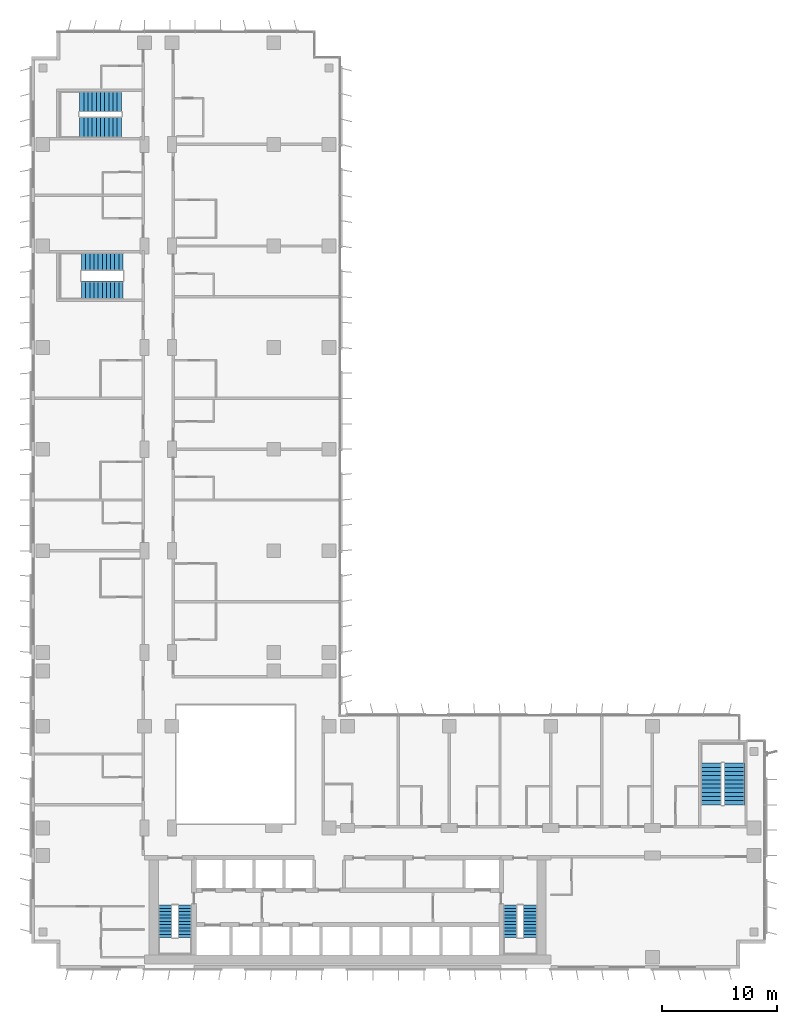
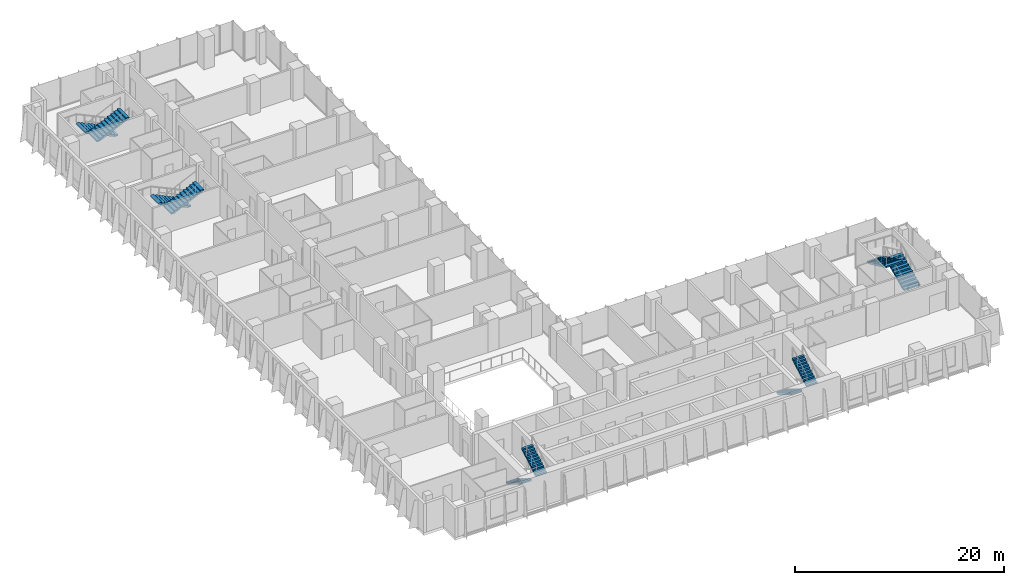
# One storey, part 18 of 22: 10 stair flights, 5 elements without a shape of their own.
"""IFC4 building model written with IfcOpenShell, lengths in metres."""

import ifcopenshell
import ifcopenshell.guid

model = None  # the IFC model being written
_history = None  # IfcOwnerHistory: only IFC2X3 demands one
_inside = {}  # id of a spatial element -> (the spatial element, [elements in it])
_under = {}  # id of a project, library or spatial element -> (it, [spatial elements below it])
_declared = {}  # id of a project -> (the project, [libraries it declares])
_typed = {}  # id of a type object -> (the type object, [elements of that type])
_made_of = {}  # id of a material, layer set ... -> (it, [elements and type objects made of it])


def new_model(schema):
    """Start an empty IFC model of exactly this schema.

    Asked for "IFC4X3", IfcOpenShell would pick the latest addendum, in which some entities
    have other attributes; the version numbers below select the first issue.
    IFC2X3 requires an IfcOwnerHistory on every rooted entity: one is made here for all.
    """
    global model, _history
    if schema == "IFC4X3":
        model = ifcopenshell.file(schema_version=(4, 3, 0, 0))
    else:
        model = ifcopenshell.file(schema=schema)
    _inside.clear()
    _under.clear()
    _declared.clear()
    _typed.clear()
    _made_of.clear()
    _history = None
    if model.schema == "IFC2X3":
        org = make("IfcOrganization", Name="unknown")
        user = make(
            "IfcPersonAndOrganization",
            ThePerson=make("IfcPerson", FamilyName="unknown"),
            TheOrganization=org,
        )
        app = make(
            "IfcApplication",
            ApplicationDeveloper=org,
            Version="unknown",
            ApplicationFullName="unknown",
            ApplicationIdentifier="unknown",
        )
        _history = make(
            "IfcOwnerHistory",
            OwningUser=user,
            OwningApplication=app,
            ChangeAction="ADDED",
            CreationDate=0,
        )
    return model


def make(cls, **values):
    """One entity of the class cls with the attributes given. An attribute that is None is left unset."""
    return model.create_entity(
        cls, **{name: value for name, value in values.items() if value is not None}
    )


def rooted(cls, **values):
    """An entity with a GlobalId (a new one), such as an element, a storey or a relation."""
    return make(cls, GlobalId=ifcopenshell.guid.new(), OwnerHistory=_history, **values)


def si_unit(unit_type, name, prefix=None):
    """IfcSIUnit, for example si_unit("LENGTHUNIT", "METRE", prefix="MILLI")."""
    return make("IfcSIUnit", UnitType=unit_type, Prefix=prefix, Name=name)


def assignment(units):
    """IfcUnitAssignment: the units of a project."""
    return None if units is None else make("IfcUnitAssignment", Units=units)


def point(xyz):
    """IfcCartesianPoint."""
    return None if xyz is None else make("IfcCartesianPoint", Coordinates=xyz)


def direction(xyz):
    """IfcDirection."""
    return None if xyz is None else make("IfcDirection", DirectionRatios=xyz)


def frame(location, z_axis=None, x_axis=None):
    """IfcAxis2Placement3D, a coordinate frame: its origin and axes. An axis left out is left unset."""
    return make(
        "IfcAxis2Placement3D",
        Location=point(location),
        Axis=direction(z_axis),
        RefDirection=direction(x_axis),
    )


def origin():
    """The frame at (0, 0, 0) with its axes left unset."""
    return frame((0.0, 0.0, 0.0))


def place(relative_to, where):
    """IfcLocalPlacement: puts the frame where relative to a parent placement (None: the world)."""
    return make(
        "IfcLocalPlacement", PlacementRelTo=relative_to, RelativePlacement=where
    )


def context(
    kind, dimensions, precision=None, world=None, true_north=None, identifier=None
):
    """IfcGeometricRepresentationContext, for example the 3D "Model" context."""
    return make(
        "IfcGeometricRepresentationContext",
        ContextIdentifier=identifier,
        ContextType=kind,
        CoordinateSpaceDimension=dimensions,
        Precision=precision,
        WorldCoordinateSystem=world,
        TrueNorth=true_north,
    )


def subcontext(parent, identifier, kind, view, scale=None):
    """IfcGeometricRepresentationSubContext, for example "Body" below "Model"."""
    return make(
        "IfcGeometricRepresentationSubContext",
        ContextIdentifier=identifier,
        ContextType=kind,
        ParentContext=parent,
        TargetScale=scale,
        TargetView=view,
    )


def project(units=None, contexts=None):
    """IfcProject with its units and contexts."""
    return rooted(
        "IfcProject",
        Name="project",
        RepresentationContexts=contexts,
        UnitsInContext=assignment(units),
    )


def spatial(cls, under=None, at=None, **own):
    """A site, building, storey or space (cls), placed at a placement, below another one or the project."""
    s = rooted(cls, ObjectPlacement=at, **own)
    if under is not None:
        _under.setdefault(under.id(), (under, []))[1].append(s)
    return s


def polyline(points):
    """IfcPolyline through the points."""
    return make("IfcPolyline", Points=[point(p) for p in points])


def outline(outer, holes=None, kind="AREA"):
    """IfcArbitraryClosedProfileDef: a profile drawn as a closed curve; with holes, ...WithVoids."""
    if holes is None:
        return make("IfcArbitraryClosedProfileDef", ProfileType=kind, OuterCurve=outer)
    return make(
        "IfcArbitraryProfileDefWithVoids",
        ProfileType=kind,
        OuterCurve=outer,
        InnerCurves=holes,
    )


def extrude(swept, where, along, depth):
    """IfcExtrudedAreaSolid: the profile swept, set in the frame where, extruded along a direction by depth."""
    return make(
        "IfcExtrudedAreaSolid",
        SweptArea=swept,
        Position=where,
        ExtrudedDirection=direction(along),
        Depth=depth,
    )


def shape(context_of_items, identifier, shape_type, items):
    """IfcShapeRepresentation: the items that make up one representation, for example the "Body"."""
    return make(
        "IfcShapeRepresentation",
        ContextOfItems=context_of_items,
        RepresentationIdentifier=identifier,
        RepresentationType=shape_type,
        Items=items,
    )


def material(Name=None, Category=None):
    """IfcMaterial."""
    return make("IfcMaterial", Name=Name, Category=Category)


def made_of(thing, what):
    """Note that an element or type object is made of a material, layer set ...; save() writes the relation."""
    if what is not None:
        _made_of.setdefault(what.id(), (what, []))[1].append(thing)
    return thing


def type_object(cls, material=None, **own):
    """A type object (cls), such as IfcWallType, which elements share."""
    return made_of(rooted(cls, **own), material)


def element(
    cls,
    number,
    at=None,
    inside=None,
    cuts=None,
    type_object=None,
    material=None,
    context=None,
    identifier="Body",
    shape_type=None,
    held_by="IfcProductDefinitionShape",
    body=None,
    shapes=None,
    **own,
):
    """One element of the class cls, such as IfcWall. Its Tag is "e" and its number.

    at: its placement. inside: the storey or other place that contains it. cuts: it is an
    opening in that element (IfcRelVoidsElement). A single representation is given by context,
    identifier, shape_type and body (its items); several are given by shapes. held_by: the class
    of the entity that holds the representations. save() writes the other relations.
    """
    e = rooted(cls, Tag="e%d" % number, ObjectPlacement=at, **own)
    if body is not None:
        shapes = [shape(context, identifier, shape_type, body)]
    if shapes is not None:
        e.Representation = make(held_by, Representations=shapes)
    if inside is not None:
        _inside.setdefault(inside.id(), (inside, []))[1].append(e)
    if cuts is not None:
        rooted(
            "IfcRelVoidsElement", RelatingBuildingElement=cuts, RelatedOpeningElement=e
        )
    if type_object is not None:
        _typed.setdefault(type_object.id(), (type_object, []))[1].append(e)
    return made_of(e, material)


def aggregate(whole, parts):
    """IfcRelAggregates: a whole, such as a stair, and the parts it consists of."""
    return rooted("IfcRelAggregates", RelatingObject=whole, RelatedObjects=parts)


def save(model, path):
    """Write the relations noted so far, then the file.

    IfcRelAggregates (storeys below a building ...), IfcRelContainedInSpatialStructure (elements
    in a storey), IfcRelDefinesByType, IfcRelAssociatesMaterial and IfcRelDeclares: one each for
    every whole, place, type object, material and project.
    """
    for whole, parts in _under.values():
        aggregate(whole, parts)
    for where, things in _inside.values():
        rooted(
            "IfcRelContainedInSpatialStructure",
            RelatedElements=things,
            RelatingStructure=where,
        )
    for kind, things in _typed.values():
        rooted("IfcRelDefinesByType", RelatedObjects=things, RelatingType=kind)
    for what, things in _made_of.values():
        rooted("IfcRelAssociatesMaterial", RelatedObjects=things, RelatingMaterial=what)
    for by, libraries in _declared.values():
        rooted("IfcRelDeclares", RelatingContext=by, RelatedDefinitions=libraries)
    model.write(path)


model = new_model("IFC4")

# Units and contexts
model_context = context("Model", 3, precision=1e-05, world=origin(), true_north=direction((0.0, 1.0)))
body_context = subcontext(model_context, "Body", "Model", "MODEL_VIEW")
ifc_project = project(units=[si_unit("LENGTHUNIT", "METRE"), si_unit("AREAUNIT", "SQUARE_METRE"), si_unit("VOLUMEUNIT", "CUBIC_METRE"), si_unit("PLANEANGLEUNIT", "RADIAN"), si_unit("MASSUNIT", "GRAM", prefix="KILO")], contexts=[model_context])

# Site, building, storey
site_placement = place(None, origin())
site = spatial("IfcSite", under=ifc_project, at=site_placement, CompositionType="ELEMENT")
building_placement = place(site_placement, origin())
building = spatial("IfcBuilding", under=site, at=building_placement, Name="Kemantara Hotel Tower", CompositionType="ELEMENT")
storey_placement = place(building_placement, frame((0.0, 0.0, 107.39990234375)))
storey = spatial("IfcBuildingStorey", under=building, at=storey_placement, Name="L25", CompositionType="ELEMENT", Elevation=107.39990234375)

# Stair, stair flights
ifc_material = material(Name="Concrete fc 40 MPa", Category="concrete")
stair_type_1 = type_object("IfcStairType", Name="Stair 1200 wide 22 risers of 168 x 280 mm", PredefinedType="HALF_TURN_STAIR", material=ifc_material)
stair_1_placement = place(storey_placement, origin())
stair_1 = element("IfcStair", 1, at=stair_1_placement, inside=storey, type_object=stair_type_1, Name="L25 Exit stair ST1", PredefinedType="HALF_TURN_STAIR")
stair_flight_type_1 = type_object("IfcStairFlightType", Name="Stair flight 1200 wide 168 x 280 mm", PredefinedType="STRAIGHT", material=ifc_material)
stair_flight_1_placement = place(storey_placement, frame((11.60009765625, 5.5, 0.0), z_axis=(0.0, 0.0, 1.0), x_axis=(0.0, -1.0, 0.0)))
stair_flight_1 = element("IfcStairFlight", 2, at=stair_flight_1_placement, type_object=stair_flight_type_1, Name="ST1 flight 1", NumberOfRisers=11, NumberOfTreads=10, PredefinedType="STRAIGHT", RiserHeight=0.168181818, TreadLength=0.28, context=body_context, shape_type="SweptSolid", body=[
    extrude(outline(polyline([(0.0, 0.0), (0.0, 0.168212890625), (0.280029296875, 0.168212890625), (0.280029296875, 0.33642578125), (0.56005859375, 0.33642578125), (0.56005859375, 0.504638671875), (0.840087890625, 0.504638671875), (0.840087890625, 0.672607421875), (1.1201171875, 0.672607421875), (1.1201171875, 0.8408203125), (1.39990234375, 0.8408203125), (1.39990234375, 1.009033203125), (1.679931640625, 1.009033203125), (1.679931640625, 1.17724609375), (1.9599609375, 1.17724609375), (1.9599609375, 1.345458984375), (2.239990234375, 1.345458984375), (2.239990234375, 1.513671875), (2.52001953125, 1.513671875), (2.52001953125, 1.681884765625), (2.800048828125, 1.681884765625), (2.800048828125, 1.85009765625), (2.800048828125, 1.5068359375), (0.291015625, 0.0), (0.0, 0.0)])), frame((0.0, 0.60009765625, 0.0), z_axis=(0.0, -1.0, 0.0), x_axis=(1.0, 0.0, 0.0)), (0.0, 0.0, 1.0), 1.199951171875),
])
stair_flight_2_placement = place(storey_placement, frame((13.300048828125, 2.699951171875, 1.85009765625), z_axis=(0.0, 0.0, 1.0), x_axis=(0.0, 1.0, 0.0)))
stair_flight_2 = element("IfcStairFlight", 3, at=stair_flight_2_placement, type_object=stair_flight_type_1, Name="ST1 flight 2", NumberOfRisers=11, NumberOfTreads=10, PredefinedType="STRAIGHT", RiserHeight=0.168181818, TreadLength=0.28, context=body_context, shape_type="SweptSolid", body=[
    extrude(outline(polyline([(0.0, 0.0), (0.0, 0.168212890625), (0.280029296875, 0.168212890625), (0.280029296875, 0.33642578125), (0.56005859375, 0.33642578125), (0.56005859375, 0.504638671875), (0.840087890625, 0.504638671875), (0.840087890625, 0.672607421875), (1.1201171875, 0.672607421875), (1.1201171875, 0.8408203125), (1.39990234375, 0.8408203125), (1.39990234375, 1.009033203125), (1.679931640625, 1.009033203125), (1.679931640625, 1.17724609375), (1.9599609375, 1.17724609375), (1.9599609375, 1.345458984375), (2.239990234375, 1.345458984375), (2.239990234375, 1.513671875), (2.52001953125, 1.513671875), (2.52001953125, 1.681884765625), (2.800048828125, 1.681884765625), (2.800048828125, 1.85009765625), (2.800048828125, 1.5068359375), (0.291015625, 0.0), (0.0, 0.0)])), frame((0.0, 0.60009765625, 0.0), z_axis=(0.0, -1.0, 0.0), x_axis=(1.0, 0.0, 0.0)), (0.0, 0.0, 1.0), 1.199951171875),
])
aggregate(stair_1, [stair_flight_1, stair_flight_2])

stair_2_placement = place(storey_placement, origin())
stair_2 = element("IfcStair", 4, at=stair_2_placement, inside=storey, type_object=stair_type_1, Name="L25 Exit stair ST2", PredefinedType="HALF_TURN_STAIR")
stair_flight_3_placement = place(storey_placement, frame((41.5, 5.5, 0.0), z_axis=(0.0, 0.0, 1.0), x_axis=(0.0, -1.0, 0.0)))
stair_flight_3 = element("IfcStairFlight", 5, at=stair_flight_3_placement, type_object=stair_flight_type_1, Name="ST2 flight 1", NumberOfRisers=11, NumberOfTreads=10, PredefinedType="STRAIGHT", RiserHeight=0.168181818, TreadLength=0.28, context=body_context, shape_type="SweptSolid", body=[
    extrude(outline(polyline([(0.0, 0.0), (0.0, 0.168212890625), (0.280029296875, 0.168212890625), (0.280029296875, 0.33642578125), (0.56005859375, 0.33642578125), (0.56005859375, 0.504638671875), (0.840087890625, 0.504638671875), (0.840087890625, 0.672607421875), (1.1201171875, 0.672607421875), (1.1201171875, 0.8408203125), (1.39990234375, 0.8408203125), (1.39990234375, 1.009033203125), (1.679931640625, 1.009033203125), (1.679931640625, 1.17724609375), (1.9599609375, 1.17724609375), (1.9599609375, 1.345458984375), (2.239990234375, 1.345458984375), (2.239990234375, 1.513671875), (2.52001953125, 1.513671875), (2.52001953125, 1.681884765625), (2.800048828125, 1.681884765625), (2.800048828125, 1.85009765625), (2.800048828125, 1.5068359375), (0.291015625, 0.0), (0.0, 0.0)])), frame((0.0, 0.60009765625, 0.0), z_axis=(0.0, -1.0, 0.0), x_axis=(1.0, 0.0, 0.0)), (0.0, 0.0, 1.0), 1.199951171875),
])
stair_flight_4_placement = place(storey_placement, frame((43.199951171875, 2.699951171875, 1.85009765625), z_axis=(0.0, 0.0, 1.0), x_axis=(0.0, 1.0, 0.0)))
stair_flight_4 = element("IfcStairFlight", 6, at=stair_flight_4_placement, type_object=stair_flight_type_1, Name="ST2 flight 2", NumberOfRisers=11, NumberOfTreads=10, PredefinedType="STRAIGHT", RiserHeight=0.168181818, TreadLength=0.28, context=body_context, shape_type="SweptSolid", body=[
    extrude(outline(polyline([(0.0, 0.0), (0.0, 0.168212890625), (0.280029296875, 0.168212890625), (0.280029296875, 0.33642578125), (0.56005859375, 0.33642578125), (0.56005859375, 0.504638671875), (0.840087890625, 0.504638671875), (0.840087890625, 0.672607421875), (1.1201171875, 0.672607421875), (1.1201171875, 0.8408203125), (1.39990234375, 0.8408203125), (1.39990234375, 1.009033203125), (1.679931640625, 1.009033203125), (1.679931640625, 1.17724609375), (1.9599609375, 1.17724609375), (1.9599609375, 1.345458984375), (2.239990234375, 1.345458984375), (2.239990234375, 1.513671875), (2.52001953125, 1.513671875), (2.52001953125, 1.681884765625), (2.800048828125, 1.681884765625), (2.800048828125, 1.85009765625), (2.800048828125, 1.5068359375), (0.291015625, 0.0), (0.0, 0.0)])), frame((0.0, 0.60009765625, 0.0), z_axis=(0.0, -1.0, 0.0), x_axis=(1.0, 0.0, 0.0)), (0.0, 0.0, 1.0), 1.199951171875),
])
aggregate(stair_2, [stair_flight_3, stair_flight_4])

stair_type_2 = type_object("IfcStairType", Name="Stair 1550 wide 22 risers of 168 x 360 mm", PredefinedType="HALF_TURN_STAIR", material=ifc_material)
stair_3_placement = place(storey_placement, origin())
stair_3 = element("IfcStair", 7, at=stair_3_placement, inside=storey, type_object=stair_type_2, Name="L25 Exit stair ST4", PredefinedType="HALF_TURN_STAIR")
stair_flight_type_2 = type_object("IfcStairFlightType", Name="Stair flight 1550 wide 168 x 360 mm", PredefinedType="STRAIGHT", material=ifc_material)
stair_flight_5_placement = place(storey_placement, frame((7.949951171875, 61.22509765625, 0.0), z_axis=(0.0, 0.0, 1.0), x_axis=(-1.0, 0.0, 0.0)))
stair_flight_5 = element("IfcStairFlight", 8, at=stair_flight_5_placement, type_object=stair_flight_type_2, Name="ST4 flight 1", NumberOfRisers=11, NumberOfTreads=10, PredefinedType="STRAIGHT", RiserHeight=0.168181818, TreadLength=0.36, context=body_context, shape_type="SweptSolid", body=[
    extrude(outline(polyline([(0.0, 0.0), (0.0, 0.168212890625), (0.360107421875, 0.168212890625), (0.360107421875, 0.33642578125), (0.719970703125, 0.33642578125), (0.719970703125, 0.504638671875), (1.080078125, 0.504638671875), (1.080078125, 0.672607421875), (1.43994140625, 0.672607421875), (1.43994140625, 0.8408203125), (1.800048828125, 0.8408203125), (1.800048828125, 1.009033203125), (2.159912109375, 1.009033203125), (2.159912109375, 1.17724609375), (2.52001953125, 1.17724609375), (2.52001953125, 1.345458984375), (2.8798828125, 1.345458984375), (2.8798828125, 1.513671875), (3.239990234375, 1.513671875), (3.239990234375, 1.681884765625), (3.60009765625, 1.681884765625), (3.60009765625, 1.85009765625), (3.60009765625, 1.516357421875), (0.354248046875, 0.0), (0.0, 0.0)])), frame((0.0, 0.77490234375, 0.0), z_axis=(0.0, -1.0, 0.0), x_axis=(1.0, 0.0, 0.0)), (0.0, 0.0, 1.0), 1.550048828125),
])
stair_flight_6_placement = place(storey_placement, frame((4.35009765625, 58.77490234375, 1.85009765625), z_axis=(0.0, 0.0, 1.0), x_axis=(1.0, 0.0, 0.0)))
stair_flight_6 = element("IfcStairFlight", 9, at=stair_flight_6_placement, type_object=stair_flight_type_2, Name="ST4 flight 2", NumberOfRisers=11, NumberOfTreads=10, PredefinedType="STRAIGHT", RiserHeight=0.168181818, TreadLength=0.36, context=body_context, shape_type="SweptSolid", body=[
    extrude(outline(polyline([(0.0, 0.0), (0.0, 0.168212890625), (0.360107421875, 0.168212890625), (0.360107421875, 0.33642578125), (0.719970703125, 0.33642578125), (0.719970703125, 0.504638671875), (1.080078125, 0.504638671875), (1.080078125, 0.672607421875), (1.43994140625, 0.672607421875), (1.43994140625, 0.8408203125), (1.800048828125, 0.8408203125), (1.800048828125, 1.009033203125), (2.159912109375, 1.009033203125), (2.159912109375, 1.17724609375), (2.52001953125, 1.17724609375), (2.52001953125, 1.345458984375), (2.8798828125, 1.345458984375), (2.8798828125, 1.513671875), (3.239990234375, 1.513671875), (3.239990234375, 1.681884765625), (3.60009765625, 1.681884765625), (3.60009765625, 1.85009765625), (3.60009765625, 1.516357421875), (0.354248046875, 0.0), (0.0, 0.0)])), frame((0.0, 0.77490234375, 0.0), z_axis=(0.0, -1.0, 0.0), x_axis=(1.0, 0.0, 0.0)), (0.0, 0.0, 1.0), 1.550048828125),
])
aggregate(stair_3, [stair_flight_5, stair_flight_6])

stair_type_3 = type_object("IfcStairType", Name="Stair 1800 wide 22 risers of 168 x 360 mm", PredefinedType="HALF_TURN_STAIR", material=ifc_material)
stair_4_placement = place(storey_placement, origin())
stair_4 = element("IfcStair", 10, at=stair_4_placement, inside=storey, type_object=stair_type_3, Name="L25 Exit stair ST3", PredefinedType="HALF_TURN_STAIR")
stair_flight_type_3 = type_object("IfcStairFlightType", Name="Stair flight 1800 wide 168 x 360 mm", PredefinedType="STRAIGHT", material=ifc_material)
stair_flight_7_placement = place(storey_placement, frame((60.89990234375, 14.199951171875, 0.0), z_axis=(0.0, 0.0, 1.0), x_axis=(0.0, 1.0, 0.0)))
stair_flight_7 = element("IfcStairFlight", 11, at=stair_flight_7_placement, type_object=stair_flight_type_3, Name="ST3 flight 1", NumberOfRisers=11, NumberOfTreads=10, PredefinedType="STRAIGHT", RiserHeight=0.168181818, TreadLength=0.36, context=body_context, shape_type="SweptSolid", body=[
    extrude(outline(polyline([(0.0, 0.0), (0.0, 0.168212890625), (0.360107421875, 0.168212890625), (0.360107421875, 0.33642578125), (0.719970703125, 0.33642578125), (0.719970703125, 0.504638671875), (1.080078125, 0.504638671875), (1.080078125, 0.672607421875), (1.43994140625, 0.672607421875), (1.43994140625, 0.8408203125), (1.800048828125, 0.8408203125), (1.800048828125, 1.009033203125), (2.159912109375, 1.009033203125), (2.159912109375, 1.17724609375), (2.52001953125, 1.17724609375), (2.52001953125, 1.345458984375), (2.8798828125, 1.345458984375), (2.8798828125, 1.513671875), (3.239990234375, 1.513671875), (3.239990234375, 1.681884765625), (3.60009765625, 1.681884765625), (3.60009765625, 1.85009765625), (3.60009765625, 1.516357421875), (0.354248046875, 0.0), (0.0, 0.0)])), frame((0.0, 0.89990234375, 0.0), z_axis=(0.0, -1.0, 0.0), x_axis=(1.0, 0.0, 0.0)), (0.0, 0.0, 1.0), 1.800048828125),
])
stair_flight_8_placement = place(storey_placement, frame((58.89990234375, 17.800048828125, 1.85009765625), z_axis=(0.0, 0.0, 1.0), x_axis=(0.0, -1.0, 0.0)))
stair_flight_8 = element("IfcStairFlight", 12, at=stair_flight_8_placement, type_object=stair_flight_type_3, Name="ST3 flight 2", NumberOfRisers=11, NumberOfTreads=10, PredefinedType="STRAIGHT", RiserHeight=0.168181818, TreadLength=0.36, context=body_context, shape_type="SweptSolid", body=[
    extrude(outline(polyline([(0.0, 0.0), (0.0, 0.168212890625), (0.360107421875, 0.168212890625), (0.360107421875, 0.33642578125), (0.719970703125, 0.33642578125), (0.719970703125, 0.504638671875), (1.080078125, 0.504638671875), (1.080078125, 0.672607421875), (1.43994140625, 0.672607421875), (1.43994140625, 0.8408203125), (1.800048828125, 0.8408203125), (1.800048828125, 1.009033203125), (2.159912109375, 1.009033203125), (2.159912109375, 1.17724609375), (2.52001953125, 1.17724609375), (2.52001953125, 1.345458984375), (2.8798828125, 1.345458984375), (2.8798828125, 1.513671875), (3.239990234375, 1.513671875), (3.239990234375, 1.681884765625), (3.60009765625, 1.681884765625), (3.60009765625, 1.85009765625), (3.60009765625, 1.516357421875), (0.354248046875, 0.0), (0.0, 0.0)])), frame((0.0, 0.89990234375, 0.0), z_axis=(0.0, -1.0, 0.0), x_axis=(1.0, 0.0, 0.0)), (0.0, 0.0, 1.0), 1.800048828125),
])
aggregate(stair_4, [stair_flight_7, stair_flight_8])

stair_5_placement = place(storey_placement, origin())
stair_5 = element("IfcStair", 13, at=stair_5_placement, inside=storey, type_object=stair_type_3, Name="L25 Exit stair ST6", PredefinedType="HALF_TURN_STAIR")
stair_flight_9_placement = place(storey_placement, frame((7.800048828125, 75.10009765625, 0.0), z_axis=(0.0, 0.0, 1.0), x_axis=(-1.0, 0.0, 0.0)))
stair_flight_9 = element("IfcStairFlight", 14, at=stair_flight_9_placement, type_object=stair_flight_type_3, Name="ST6 flight 1", NumberOfRisers=11, NumberOfTreads=10, PredefinedType="STRAIGHT", RiserHeight=0.168181818, TreadLength=0.36, context=body_context, shape_type="SweptSolid", body=[
    extrude(outline(polyline([(0.0, 0.0), (0.0, 0.168212890625), (0.360107421875, 0.168212890625), (0.360107421875, 0.33642578125), (0.719970703125, 0.33642578125), (0.719970703125, 0.504638671875), (1.080078125, 0.504638671875), (1.080078125, 0.672607421875), (1.43994140625, 0.672607421875), (1.43994140625, 0.8408203125), (1.800048828125, 0.8408203125), (1.800048828125, 1.009033203125), (2.159912109375, 1.009033203125), (2.159912109375, 1.17724609375), (2.52001953125, 1.17724609375), (2.52001953125, 1.345458984375), (2.8798828125, 1.345458984375), (2.8798828125, 1.513671875), (3.239990234375, 1.513671875), (3.239990234375, 1.681884765625), (3.60009765625, 1.681884765625), (3.60009765625, 1.85009765625), (3.60009765625, 1.516357421875), (0.354248046875, 0.0), (0.0, 0.0)])), frame((0.0, 0.89990234375, 0.0), z_axis=(0.0, -1.0, 0.0), x_axis=(1.0, 0.0, 0.0)), (0.0, 0.0, 1.0), 1.800048828125),
])
stair_flight_10_placement = place(storey_placement, frame((4.199951171875, 72.89990234375, 1.85009765625), z_axis=(0.0, 0.0, 1.0), x_axis=(1.0, 0.0, 0.0)))
stair_flight_10 = element("IfcStairFlight", 15, at=stair_flight_10_placement, type_object=stair_flight_type_3, Name="ST6 flight 2", NumberOfRisers=11, NumberOfTreads=10, PredefinedType="STRAIGHT", RiserHeight=0.168181818, TreadLength=0.36, context=body_context, shape_type="SweptSolid", body=[
    extrude(outline(polyline([(0.0, 0.0), (0.0, 0.168212890625), (0.360107421875, 0.168212890625), (0.360107421875, 0.33642578125), (0.719970703125, 0.33642578125), (0.719970703125, 0.504638671875), (1.080078125, 0.504638671875), (1.080078125, 0.672607421875), (1.43994140625, 0.672607421875), (1.43994140625, 0.8408203125), (1.800048828125, 0.8408203125), (1.800048828125, 1.009033203125), (2.159912109375, 1.009033203125), (2.159912109375, 1.17724609375), (2.52001953125, 1.17724609375), (2.52001953125, 1.345458984375), (2.8798828125, 1.345458984375), (2.8798828125, 1.513671875), (3.239990234375, 1.513671875), (3.239990234375, 1.681884765625), (3.60009765625, 1.681884765625), (3.60009765625, 1.85009765625), (3.60009765625, 1.516357421875), (0.354248046875, 0.0), (0.0, 0.0)])), frame((0.0, 0.89990234375, 0.0), z_axis=(0.0, -1.0, 0.0), x_axis=(1.0, 0.0, 0.0)), (0.0, 0.0, 1.0), 1.800048828125),
])
aggregate(stair_5, [stair_flight_9, stair_flight_10])

save(model, "model.ifc")
